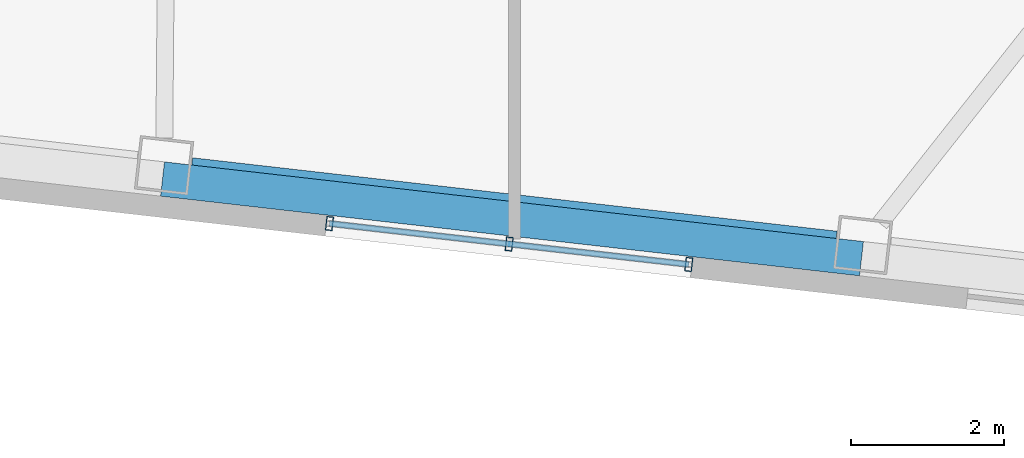
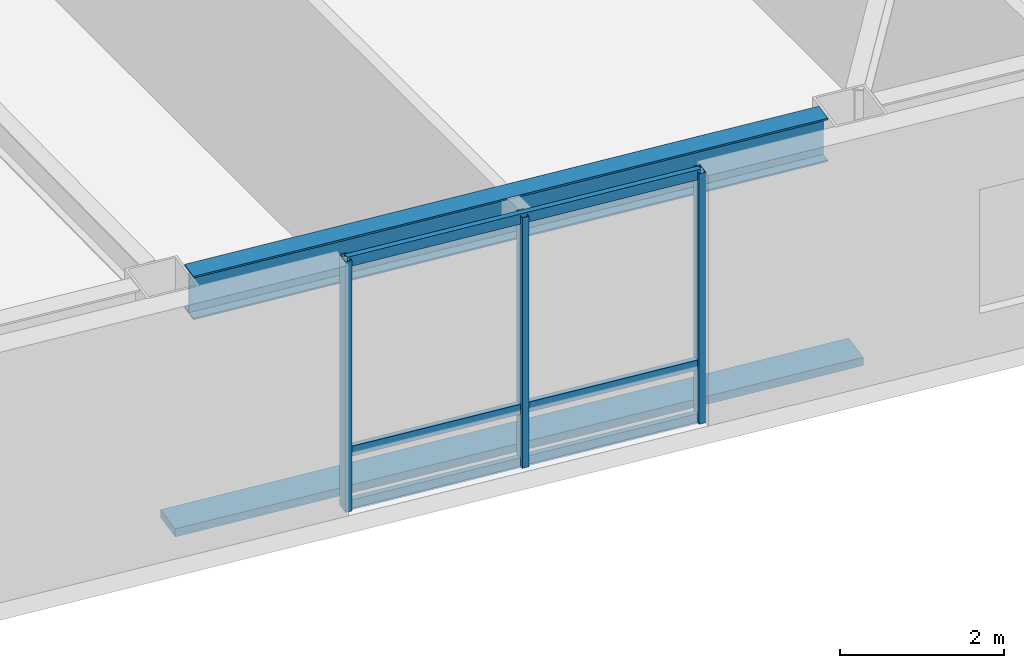
# One storey, part 6 of 23: 7 members, 1 beam, 1 element without a shape of its own.
"""IFC4 building model written with IfcOpenShell, lengths in metres."""

from ifc_helpers import new_model, si_unit, direction, frame, origin, origin_2d, place, context, subcontext, project, spatial, rectangle, hollow_rectangle, i_section, extrude, material, layer, layer_set, material_profile, profile_set, type_object, element, aggregate, save


model = new_model("IFC4")

# Units and contexts
model_context = context("Model", 3, precision=1e-05, world=origin(), true_north=direction((0.0, 1.0)))
body_context = subcontext(model_context, "Body", "Model", "MODEL_VIEW")
ifc_project = project(units=[si_unit("LENGTHUNIT", "METRE"), si_unit("AREAUNIT", "SQUARE_METRE"), si_unit("VOLUMEUNIT", "CUBIC_METRE"), si_unit("PLANEANGLEUNIT", "RADIAN"), si_unit("MASSUNIT", "GRAM", prefix="KILO")], contexts=[model_context])

# Site, building, storey
site_placement = place(None, origin())
site = spatial("IfcSite", under=ifc_project, at=site_placement, CompositionType="ELEMENT")
building_placement = place(site_placement, origin())
building = spatial("IfcBuilding", under=site, at=building_placement, Name="Tavrogorsk Clinical Tower", CompositionType="ELEMENT")
storey_placement = place(building_placement, frame((0.0, 0.0, 113.39990234375)))
storey = spatial("IfcBuildingStorey", under=building, at=storey_placement, Name="L25", CompositionType="ELEMENT", Elevation=113.39990234375)

# Member
ifc_material_1 = material(Name="Anodised aluminium alloy AW-6063", Category="aluminium")
ifc_material_profile_1 = material_profile(ifc_material_1, rectangle(XDim=0.449951171875, YDim=0.1201171875, at=origin_2d()), Name="ALU-SUNSHADE-450x120")
ifc_profile_set_1 = profile_set([ifc_material_profile_1], Name="Anodised aluminium alloy AW-6063")
member_type_1 = type_object("IfcMemberType", Name="ChicagoSunshade_450x120", PredefinedType="USERDEFINED", material=ifc_profile_set_1)
member_1_placement = place(storey_placement, frame((4.208251953125, -26.463134765625, 0.18017578125), z_axis=(0.993569662511, -0.113222461274, 0.0), x_axis=(0.113222461274, 0.993569662511, 0.0)))
element("IfcMember", 1, at=member_1_placement, inside=storey, type_object=member_type_1, Name="L25 South Aluminium Sunshade S5", ObjectType="SUNSHADE", PredefinedType="USERDEFINED", context=body_context, shape_type="SweptSolid", body=[
    extrude(rectangle(XDim=0.449951171875, YDim=0.1201171875, at=origin_2d()), origin(), (0.0, 0.0, 1.0), 9.17724609375),
])

# Curtain wall, members
ifc_material_2 = material(Name="Anodised aluminium and triple IGU glazing", Category="aluminium")
ifc_layer = layer(ifc_material_2, 0.179931640625)
ifc_layer_set = layer_set([ifc_layer], Name="Anodised aluminium and triple IGU glazing")
curtain_wall_type = type_object("IfcCurtainWallType", Name="CW3_SouthSlot", PredefinedType="NOTDEFINED", material=ifc_layer_set)
curtain_wall_placement = place(storey_placement, origin())
curtain_wall = element("IfcCurtainWall", 2, at=curtain_wall_placement, inside=storey, type_object=curtain_wall_type, Name="L25 Curtain Wall CW-L25-S-SLOT-2", PredefinedType="NOTDEFINED")
ifc_material_3 = material(Name="Anodised aluminium alloy AW-6060", Category="aluminium")
ifc_material_profile_2 = material_profile(ifc_material_3, hollow_rectangle(XDim=0.090087890625, YDim=0.179931640625, WallThickness=0.00634765625, at=origin_2d()), Name="RHS-180x90x6.3")
ifc_profile_set_2 = profile_set([ifc_material_profile_2], Name="Anodised aluminium alloy AW-6060")
member_type_2 = type_object("IfcMemberType", Name="CwMullion_180x90", PredefinedType="MULLION", material=ifc_profile_set_2)
member_2_placement = place(storey_placement, frame((6.38623046875, -27.04345703125, 0.0), z_axis=(0.0, 0.0, 1.0), x_axis=(0.993571858269, -0.113203191016, 0.0)))
member_2 = element("IfcMember", 3, at=member_2_placement, type_object=member_type_2, Name="CW-L25-S-SLOT-2 Mullion 1", PredefinedType="MULLION", context=body_context, shape_type="SweptSolid", body=[
    extrude(hollow_rectangle(XDim=0.090087890625, YDim=0.179931640625, WallThickness=0.00634765625, at=origin_2d()), origin(), (0.0, 0.0, 1.0), 3.739990234375),
])
member_3_placement = place(storey_placement, frame((8.72998046875, -27.310546875, 0.0), z_axis=(0.0, 0.0, 1.0), x_axis=(0.993571858269, -0.113203191016, 0.0)))
member_3 = element("IfcMember", 4, at=member_3_placement, type_object=member_type_2, Name="CW-L25-S-SLOT-2 Mullion 2", PredefinedType="MULLION", context=body_context, shape_type="SweptSolid", body=[
    extrude(hollow_rectangle(XDim=0.090087890625, YDim=0.179931640625, WallThickness=0.00634765625, at=origin_2d()), origin(), (0.0, 0.0, 1.0), 3.739990234375),
])
member_4_placement = place(storey_placement, frame((11.07373046875, -27.57763671875, 0.0), z_axis=(0.0, 0.0, 1.0), x_axis=(0.993571858269, -0.113203191016, 0.0)))
member_4 = element("IfcMember", 5, at=member_4_placement, type_object=member_type_2, Name="CW-L25-S-SLOT-2 Mullion 3", PredefinedType="MULLION", context=body_context, shape_type="SweptSolid", body=[
    extrude(hollow_rectangle(XDim=0.090087890625, YDim=0.179931640625, WallThickness=0.00634765625, at=origin_2d()), origin(), (0.0, 0.0, 1.0), 3.739990234375),
])
ifc_material_4 = material(Name="Anodised aluminium alloy AW-6060", Category="aluminium")
ifc_material_profile_3 = material_profile(ifc_material_4, hollow_rectangle(XDim=0.074951171875, YDim=0.14990234375, WallThickness=0.0048828125, at=origin_2d()), Name="RHS-150x75x5")
ifc_profile_set_3 = profile_set([ifc_material_profile_3], Name="Anodised aluminium alloy AW-6060")
member_type_3 = type_object("IfcMemberType", Name="CwTransom_150x75", PredefinedType="USERDEFINED", material=ifc_profile_set_3)
member_5_placement = place(storey_placement, frame((6.38623046875, -27.04345703125, 0.050048828125), z_axis=(0.993569315854, -0.113225503286, 0.0), x_axis=(0.113225503286, 0.993569315854, 0.0)))
member_5 = element("IfcMember", 6, at=member_5_placement, type_object=member_type_3, Name="CW-L25-S-SLOT-2 Transom 1", ObjectType="TRANSOM", PredefinedType="USERDEFINED", context=body_context, shape_type="SweptSolid", body=[
    extrude(hollow_rectangle(XDim=0.074951171875, YDim=0.14990234375, WallThickness=0.0048828125, at=origin_2d()), origin(), (0.0, 0.0, 1.0), 4.7177734375),
])
member_6_placement = place(storey_placement, frame((6.38623046875, -27.04345703125, 0.85009765625), z_axis=(0.993569315854, -0.113225503286, 0.0), x_axis=(0.113225503286, 0.993569315854, 0.0)))
member_6 = element("IfcMember", 7, at=member_6_placement, type_object=member_type_3, Name="CW-L25-S-SLOT-2 Transom 2", ObjectType="TRANSOM", PredefinedType="USERDEFINED", context=body_context, shape_type="SweptSolid", body=[
    extrude(hollow_rectangle(XDim=0.074951171875, YDim=0.14990234375, WallThickness=0.0048828125, at=origin_2d()), origin(), (0.0, 0.0, 1.0), 4.7177734375),
])
member_7_placement = place(storey_placement, frame((6.38623046875, -27.04345703125, 3.690185546875), z_axis=(0.993569315854, -0.113225503286, 0.0), x_axis=(0.113225503286, 0.993569315854, 0.0)))
member_7 = element("IfcMember", 8, at=member_7_placement, type_object=member_type_3, Name="CW-L25-S-SLOT-2 Transom 3", ObjectType="TRANSOM", PredefinedType="USERDEFINED", context=body_context, shape_type="SweptSolid", body=[
    extrude(hollow_rectangle(XDim=0.074951171875, YDim=0.14990234375, WallThickness=0.0048828125, at=origin_2d()), origin(), (0.0, 0.0, 1.0), 4.7177734375),
])
aggregate(curtain_wall, [member_2, member_3, member_4, member_5, member_6, member_7])

# Beam
ifc_material_5 = material(Name="Structural steel S390", Category="steel")
ifc_material_profile_4 = material_profile(ifc_material_5, i_section(OverallWidth=0.280029296875, OverallDepth=0.64990234375, WebThickness=0.01611328125, FlangeThickness=0.02490234375, at=origin_2d()), Name="B-650x280x16x25")
ifc_profile_set_4 = profile_set([ifc_material_profile_4], Name="Structural steel S390")
beam_type = type_object("IfcBeamType", Name="SpandrelBeam_B650", PredefinedType="SPANDREL", material=ifc_profile_set_4)
beam_placement = place(storey_placement, frame((4.584228515625, -26.324951171875, 3.4150390625), z_axis=(0.99357306506, -0.113192598642, 0.0), x_axis=(0.113192598642, 0.99357306506, 0.0)))
element("IfcBeam", 9, at=beam_placement, inside=storey, type_object=beam_type, Name="L25 Perimeter Spandrel S5-S6", PredefinedType="SPANDREL", context=body_context, shape_type="SweptSolid", body=[
    extrude(i_section(OverallWidth=0.280029296875, OverallDepth=0.64990234375, WebThickness=0.01611328125, FlangeThickness=0.02490234375, at=origin_2d()), origin(), (0.0, 0.0, 1.0), 8.46142578125),
])

save(model, "model.ifc")
